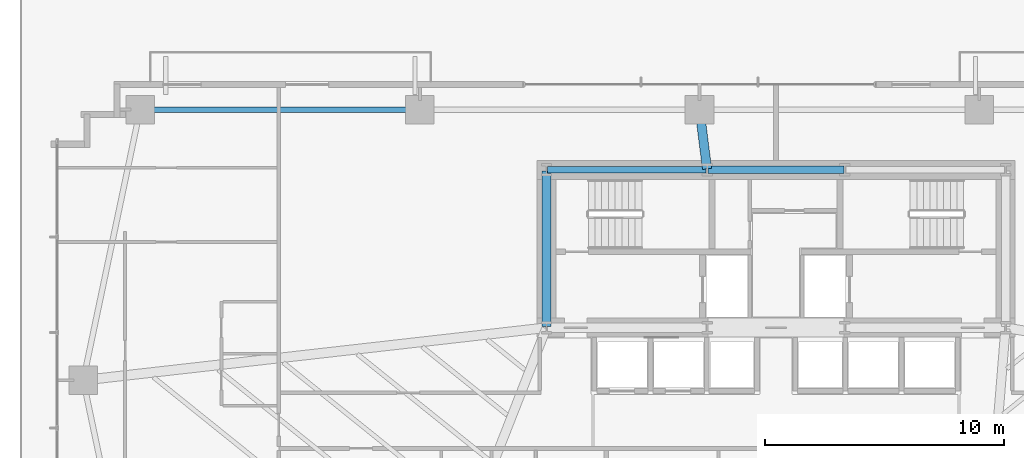
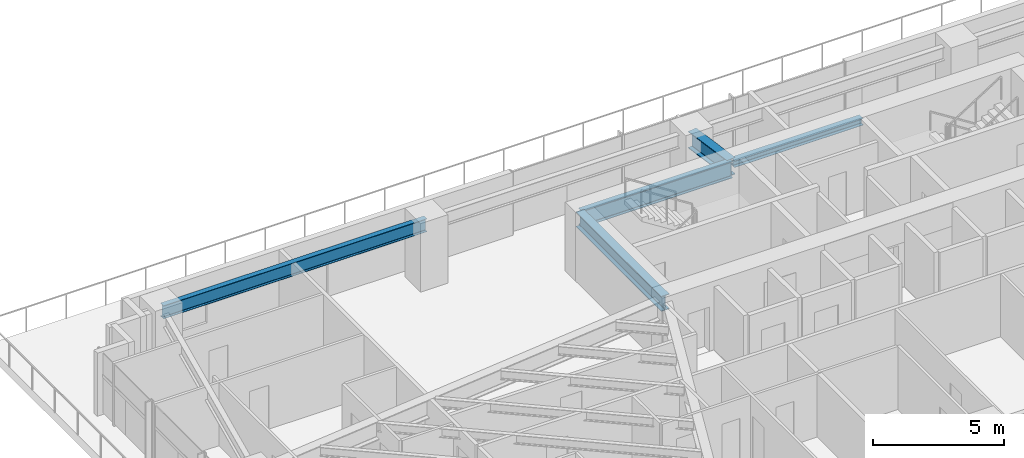
# One storey, part 9 of 26: 5 beams.
"""IFC4 building model written with IfcOpenShell, lengths in metres."""

from ifc_helpers import new_model, si_unit, direction, frame, origin, origin_2d, place, context, subcontext, project, spatial, i_section, extrude, source, transform, mapped, material, material_profile, profile_set, type_object, type_shapes, element, save


model = new_model("IFC4")

# Units and contexts
model_context = context("Model", 3, precision=1e-05, world=origin(), true_north=direction((0.0, 1.0)))
body_context = subcontext(model_context, "Body", "Model", "MODEL_VIEW")
ifc_project = project(units=[si_unit("LENGTHUNIT", "METRE"), si_unit("AREAUNIT", "SQUARE_METRE"), si_unit("VOLUMEUNIT", "CUBIC_METRE"), si_unit("PLANEANGLEUNIT", "RADIAN"), si_unit("MASSUNIT", "GRAM", prefix="KILO")], contexts=[model_context])

# Site, building, storey
site_placement = place(None, origin())
site = spatial("IfcSite", under=ifc_project, at=site_placement, CompositionType="ELEMENT")
building_placement = place(site_placement, origin())
building = spatial("IfcBuilding", under=site, at=building_placement, Name="Astriad Promenade Condominiums", CompositionType="ELEMENT")
storey_placement = place(building_placement, frame((0.0, 0.0, 23.0)))
storey = spatial("IfcBuildingStorey", under=building, at=storey_placement, Name="L05", CompositionType="ELEMENT", Elevation=23.0)

# Beams
ifc_material = material(Name="Steel ASTM A992 Grade 50", Category="steel")
ifc_material_profile_1 = material_profile(ifc_material, i_section(OverallWidth=0.267822265625, OverallDepth=0.76953125, WebThickness=0.015625, FlangeThickness=0.025390625, FilletRadius=0.021484375, at=origin_2d()), Name="W30X132")
ifc_profile_set_1 = profile_set([ifc_material_profile_1], Name="Steel ASTM A992 Grade 50")
beam_type_1 = type_object("IfcBeamType", Name="STEEL FLOOR GIRDER W30X132", PredefinedType="BEAM", material=ifc_profile_set_1)
shared_shape_1 = source(origin(), body_context, "Body", "SweptSolid", [
    extrude(i_section(OverallWidth=0.267822265625, OverallDepth=0.76953125, WebThickness=0.015625, FlangeThickness=0.025390625, FilletRadius=0.021484375, at=origin_2d()), origin(), (0.0, 0.0, 1.0), 6.64013671875),
])
type_shapes(beam_type_1, [shared_shape_1])
beam_1_placement = place(storey_placement, frame((26.43994140625, 24.0, 2.55517578125), z_axis=(1.0, 0.0, 0.0), x_axis=(0.0, 1.0, 0.0)))
element("IfcBeam", 1, at=beam_1_placement, inside=storey, type_object=beam_type_1, Name="Core Ring Beam CG-N1-L05", PredefinedType="BEAM", context=body_context, shape_type="MappedRepresentation", body=[
    mapped(shared_shape_1, transform((0.0, 0.0, 0.0), scale=1.0)),
])
ifc_material_profile_2 = material_profile(ifc_material, i_section(OverallWidth=0.3046875, OverallDepth=0.307861328125, WebThickness=0.010009765625, FlangeThickness=0.015380859375, FilletRadius=0.01513671875, at=origin_2d()), Name="W12X65")
ifc_profile_set_2 = profile_set([ifc_material_profile_2], Name="Steel ASTM A992 Grade 50")
beam_type_2 = type_object("IfcBeamType", Name="STEEL OPENING LINTEL W12X65", PredefinedType="LINTEL", material=ifc_profile_set_2)
shared_shape_2 = source(origin(), body_context, "Body", "SweptSolid", [
    extrude(i_section(OverallWidth=0.3046875, OverallDepth=0.307861328125, WebThickness=0.010009765625, FlangeThickness=0.015380859375, FilletRadius=0.01513671875, at=origin_2d()), origin(), (0.0, 0.0, 1.0), 5.68017578125),
])
type_shapes(beam_type_2, [shared_shape_2])
beam_2_placement = place(storey_placement, frame((33.159912109375, 24.0, 2.7861328125), z_axis=(1.0, 0.0, 0.0), x_axis=(0.0, 1.0, 0.0)))
element("IfcBeam", 2, at=beam_2_placement, inside=storey, type_object=beam_type_2, Name="Core Ring Beam CG-N2-L05", PredefinedType="LINTEL", context=body_context, shape_type="MappedRepresentation", body=[
    mapped(shared_shape_2, transform((0.0, 0.0, 0.0), scale=1.0)),
])
ifc_material_profile_3 = material_profile(ifc_material, i_section(OverallWidth=0.35791015625, OverallDepth=0.706298828125, WebThickness=0.018310546875, FlangeThickness=0.0302734375, FilletRadius=0.020263671875, at=origin_2d()), Name="W27X178")
ifc_profile_set_3 = profile_set([ifc_material_profile_3], Name="Steel ASTM A992 Grade 50")
beam_type_3 = type_object("IfcBeamType", Name="STEEL FLOOR GIRDER W27X178", PredefinedType="BEAM", material=ifc_profile_set_3)
shared_shape_3 = source(origin(), body_context, "Body", "SweptSolid", [
    extrude(i_section(OverallWidth=0.35791015625, OverallDepth=0.706298828125, WebThickness=0.018310546875, FlangeThickness=0.0302734375, FilletRadius=0.020263671875, at=origin_2d()), origin(), (0.0, 0.0, 1.0), 6.52001953125),
])
type_shapes(beam_type_3, [shared_shape_3])
beam_3_placement = place(storey_placement, frame((26.39990234375, 17.43994140625, 2.5869140625), z_axis=(0.0, 1.0, 0.0), x_axis=(-1.0, 0.0, 0.0)))
element("IfcBeam", 3, at=beam_3_placement, inside=storey, type_object=beam_type_3, Name="Core Ring Beam CG-W1-L05", PredefinedType="BEAM", context=body_context, shape_type="MappedRepresentation", body=[
    mapped(shared_shape_3, transform((0.0, 0.0, 0.0), scale=1.0)),
])
ifc_material_profile_4 = material_profile(ifc_material, i_section(OverallWidth=0.22900390625, OverallDepth=0.612060546875, WebThickness=0.011962890625, FlangeThickness=0.01953125, FilletRadius=0.017822265625, at=origin_2d()), Name="W24X84")
ifc_profile_set_4 = profile_set([ifc_material_profile_4], Name="Steel ASTM A992 Grade 50")
beam_type_4 = type_object("IfcBeamType", Name="STEEL SPANDREL BEAM W24X84", PredefinedType="SPANDREL", material=ifc_profile_set_4)
shared_shape_4 = source(origin(), body_context, "Body", "SweptSolid", [
    extrude(i_section(OverallWidth=0.22900390625, OverallDepth=0.612060546875, WebThickness=0.011962890625, FlangeThickness=0.01953125, FilletRadius=0.017822265625, at=origin_2d()), origin(), (0.0, 0.0, 1.0), 11.6201171875),
])
type_shapes(beam_type_4, [shared_shape_4])
beam_4_placement = place(storey_placement, frame((21.06005859375, 26.52001953125, 2.634033203125), z_axis=(-1.0, 0.0, 0.0), x_axis=(0.0, -1.0, 0.0)))
element("IfcBeam", 4, at=beam_4_placement, inside=storey, type_object=beam_type_4, Name="Perimeter Spandrel Beam SP-N1-L05", PredefinedType="SPANDREL", context=body_context, shape_type="MappedRepresentation", body=[
    mapped(shared_shape_4, transform((0.0, 0.0, 0.0), scale=1.0)),
])
ifc_material_profile_5 = material_profile(ifc_material, i_section(OverallWidth=0.3837890625, OverallDepth=0.785888671875, WebThickness=0.019775390625, FlangeThickness=0.033447265625, FilletRadius=0.021484375, at=origin_2d()), Name="W30X211")
ifc_profile_set_5 = profile_set([ifc_material_profile_5], Name="Steel ASTM A992 Grade 50")
beam_type_5 = type_object("IfcBeamType", Name="STEEL FLOOR GIRDER W30X211", PredefinedType="BEAM", material=ifc_profile_set_5)
shared_shape_5 = source(origin(), body_context, "Body", "SweptSolid", [
    extrude(i_section(OverallWidth=0.3837890625, OverallDepth=0.785888671875, WebThickness=0.019775390625, FlangeThickness=0.033447265625, FilletRadius=0.021484375, at=origin_2d()), origin(), (0.0, 0.0, 1.0), 2.4599609375),
])
type_shapes(beam_type_5, [shared_shape_5])
beam_5_placement = place(storey_placement, frame((32.804931640625, 26.480224609375, 2.547119140625), z_axis=(0.126037648346, -0.992025458947, 0.0), x_axis=(0.992025458947, 0.126037648346, 0.0)))
element("IfcBeam", 5, at=beam_5_placement, inside=storey, type_object=beam_type_5, Name="Primary Floor Girder PG-NC-L05", PredefinedType="BEAM", context=body_context, shape_type="MappedRepresentation", body=[
    mapped(shared_shape_5, transform((0.0, 0.0, 0.0), scale=1.0)),
])

save(model, "model.ifc")
